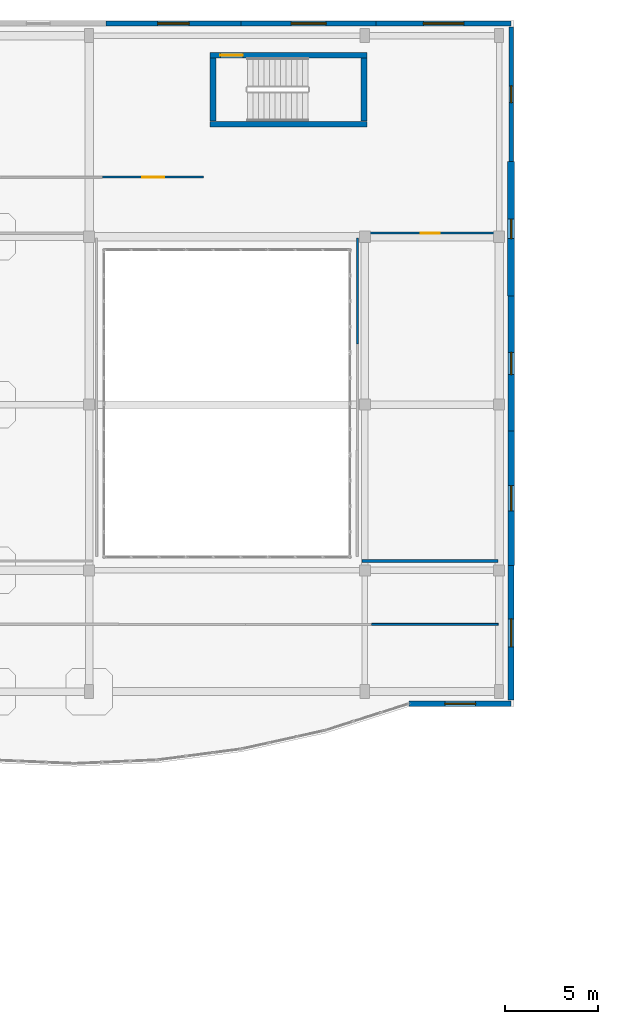
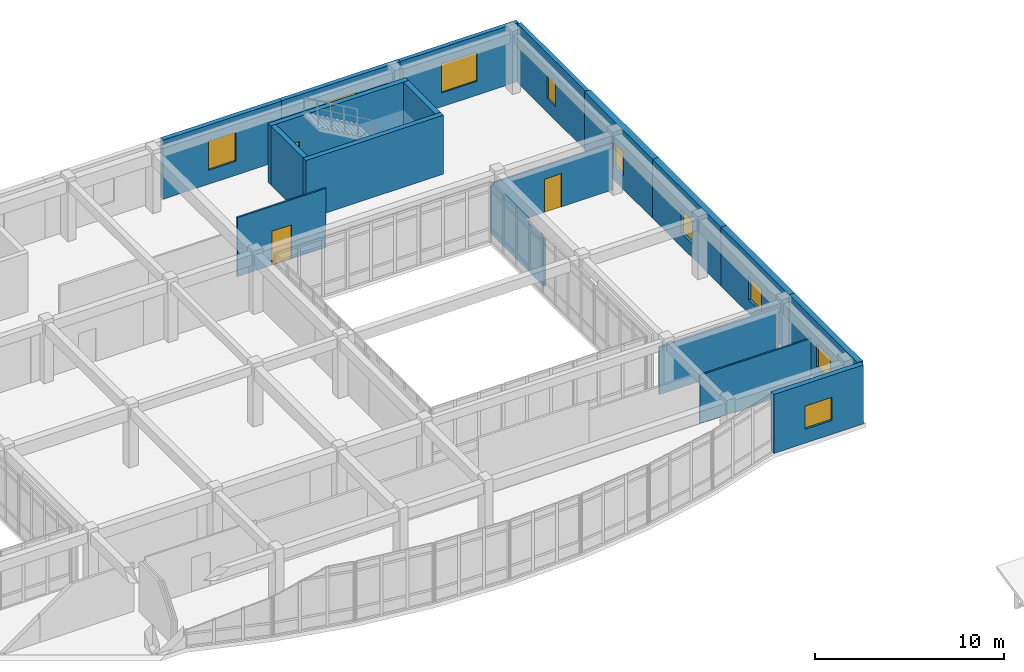
# One storey, part 138 of 146: 18 walls, 9 windows, 3 doors, 12 openings.
"""IFC4 building model written with IfcOpenShell, lengths in metres."""

import ifcopenshell
import ifcopenshell.guid

model = None  # the IFC model being written
_history = None  # IfcOwnerHistory: only IFC2X3 demands one
_inside = {}  # id of a spatial element -> (the spatial element, [elements in it])
_under = {}  # id of a project, library or spatial element -> (it, [spatial elements below it])
_declared = {}  # id of a project -> (the project, [libraries it declares])
_typed = {}  # id of a type object -> (the type object, [elements of that type])
_made_of = {}  # id of a material, layer set ... -> (it, [elements and type objects made of it])


def new_model(schema):
    """Start an empty IFC model of exactly this schema.

    Asked for "IFC4X3", IfcOpenShell would pick the latest addendum, in which some entities
    have other attributes; the version numbers below select the first issue.
    IFC2X3 requires an IfcOwnerHistory on every rooted entity: one is made here for all.
    """
    global model, _history
    if schema == "IFC4X3":
        model = ifcopenshell.file(schema_version=(4, 3, 0, 0))
    else:
        model = ifcopenshell.file(schema=schema)
    _inside.clear()
    _under.clear()
    _declared.clear()
    _typed.clear()
    _made_of.clear()
    _history = None
    if model.schema == "IFC2X3":
        org = make("IfcOrganization", Name="unknown")
        user = make(
            "IfcPersonAndOrganization",
            ThePerson=make("IfcPerson", FamilyName="unknown"),
            TheOrganization=org,
        )
        app = make(
            "IfcApplication",
            ApplicationDeveloper=org,
            Version="unknown",
            ApplicationFullName="unknown",
            ApplicationIdentifier="unknown",
        )
        _history = make(
            "IfcOwnerHistory",
            OwningUser=user,
            OwningApplication=app,
            ChangeAction="ADDED",
            CreationDate=0,
        )
    return model


def make(cls, **values):
    """One entity of the class cls with the attributes given. An attribute that is None is left unset."""
    return model.create_entity(
        cls, **{name: value for name, value in values.items() if value is not None}
    )


def rooted(cls, **values):
    """An entity with a GlobalId (a new one), such as an element, a storey or a relation."""
    return make(cls, GlobalId=ifcopenshell.guid.new(), OwnerHistory=_history, **values)


def si_unit(unit_type, name, prefix=None):
    """IfcSIUnit, for example si_unit("LENGTHUNIT", "METRE", prefix="MILLI")."""
    return make("IfcSIUnit", UnitType=unit_type, Prefix=prefix, Name=name)


def assignment(units):
    """IfcUnitAssignment: the units of a project."""
    return None if units is None else make("IfcUnitAssignment", Units=units)


def point(xyz):
    """IfcCartesianPoint."""
    return None if xyz is None else make("IfcCartesianPoint", Coordinates=xyz)


def direction(xyz):
    """IfcDirection."""
    return None if xyz is None else make("IfcDirection", DirectionRatios=xyz)


def frame(location, z_axis=None, x_axis=None):
    """IfcAxis2Placement3D, a coordinate frame: its origin and axes. An axis left out is left unset."""
    return make(
        "IfcAxis2Placement3D",
        Location=point(location),
        Axis=direction(z_axis),
        RefDirection=direction(x_axis),
    )


def frame_2d(location, x_axis=None):
    """IfcAxis2Placement2D, a coordinate frame in the plane: its origin and x axis."""
    return make(
        "IfcAxis2Placement2D", Location=point(location), RefDirection=direction(x_axis)
    )


def origin():
    """The frame at (0, 0, 0) with its axes left unset."""
    return frame((0.0, 0.0, 0.0))


def place(relative_to, where):
    """IfcLocalPlacement: puts the frame where relative to a parent placement (None: the world)."""
    return make(
        "IfcLocalPlacement", PlacementRelTo=relative_to, RelativePlacement=where
    )


def context(
    kind, dimensions, precision=None, world=None, true_north=None, identifier=None
):
    """IfcGeometricRepresentationContext, for example the 3D "Model" context."""
    return make(
        "IfcGeometricRepresentationContext",
        ContextIdentifier=identifier,
        ContextType=kind,
        CoordinateSpaceDimension=dimensions,
        Precision=precision,
        WorldCoordinateSystem=world,
        TrueNorth=true_north,
    )


def subcontext(parent, identifier, kind, view, scale=None):
    """IfcGeometricRepresentationSubContext, for example "Body" below "Model"."""
    return make(
        "IfcGeometricRepresentationSubContext",
        ContextIdentifier=identifier,
        ContextType=kind,
        ParentContext=parent,
        TargetScale=scale,
        TargetView=view,
    )


def project(units=None, contexts=None):
    """IfcProject with its units and contexts."""
    return rooted(
        "IfcProject",
        Name="project",
        RepresentationContexts=contexts,
        UnitsInContext=assignment(units),
    )


def spatial(cls, under=None, at=None, **own):
    """A site, building, storey or space (cls), placed at a placement, below another one or the project."""
    s = rooted(cls, ObjectPlacement=at, **own)
    if under is not None:
        _under.setdefault(under.id(), (under, []))[1].append(s)
    return s


def profile(cls, at=None, kind="AREA", **sizes):
    """A parametric profile (cls). Its sizes go by their IFC names, for example OverallWidth=200.0."""
    return make(cls, ProfileType=kind, Position=at, **sizes)


def rectangle(**sizes):
    """IfcRectangleProfileDef."""
    return profile("IfcRectangleProfileDef", **sizes)


def extrude(swept, where, along, depth):
    """IfcExtrudedAreaSolid: the profile swept, set in the frame where, extruded along a direction by depth."""
    return make(
        "IfcExtrudedAreaSolid",
        SweptArea=swept,
        Position=where,
        ExtrudedDirection=direction(along),
        Depth=depth,
    )


def shape(context_of_items, identifier, shape_type, items):
    """IfcShapeRepresentation: the items that make up one representation, for example the "Body"."""
    return make(
        "IfcShapeRepresentation",
        ContextOfItems=context_of_items,
        RepresentationIdentifier=identifier,
        RepresentationType=shape_type,
        Items=items,
    )


def material(Name=None, Category=None):
    """IfcMaterial."""
    return make("IfcMaterial", Name=Name, Category=Category)


def layer(
    of_material, thickness, ventilated=None, Name=None, Category=None, Priority=None
):
    """IfcMaterialLayer: one layer of a wall or slab, of a material (None: an air gap)."""
    return make(
        "IfcMaterialLayer",
        Material=of_material,
        LayerThickness=thickness,
        IsVentilated=ventilated,
        Name=Name,
        Category=Category,
        Priority=Priority,
    )


def layer_set(layers, Name=None):
    """IfcMaterialLayerSet."""
    return make("IfcMaterialLayerSet", MaterialLayers=layers, LayerSetName=Name)


def made_of(thing, what):
    """Note that an element or type object is made of a material, layer set ...; save() writes the relation."""
    if what is not None:
        _made_of.setdefault(what.id(), (what, []))[1].append(thing)
    return thing


def type_object(cls, material=None, **own):
    """A type object (cls), such as IfcWallType, which elements share."""
    return made_of(rooted(cls, **own), material)


def element(
    cls,
    number,
    at=None,
    inside=None,
    cuts=None,
    type_object=None,
    material=None,
    context=None,
    identifier="Body",
    shape_type=None,
    held_by="IfcProductDefinitionShape",
    body=None,
    shapes=None,
    **own,
):
    """One element of the class cls, such as IfcWall. Its Tag is "e" and its number.

    at: its placement. inside: the storey or other place that contains it. cuts: it is an
    opening in that element (IfcRelVoidsElement). A single representation is given by context,
    identifier, shape_type and body (its items); several are given by shapes. held_by: the class
    of the entity that holds the representations. save() writes the other relations.
    """
    e = rooted(cls, Tag="e%d" % number, ObjectPlacement=at, **own)
    if body is not None:
        shapes = [shape(context, identifier, shape_type, body)]
    if shapes is not None:
        e.Representation = make(held_by, Representations=shapes)
    if inside is not None:
        _inside.setdefault(inside.id(), (inside, []))[1].append(e)
    if cuts is not None:
        rooted(
            "IfcRelVoidsElement", RelatingBuildingElement=cuts, RelatedOpeningElement=e
        )
    if type_object is not None:
        _typed.setdefault(type_object.id(), (type_object, []))[1].append(e)
    return made_of(e, material)


def fill(opening, filler):
    """IfcRelFillsElement: the door or window that sits in an opening."""
    return rooted(
        "IfcRelFillsElement",
        RelatingOpeningElement=opening,
        RelatedBuildingElement=filler,
    )


def aggregate(whole, parts):
    """IfcRelAggregates: a whole, such as a stair, and the parts it consists of."""
    return rooted("IfcRelAggregates", RelatingObject=whole, RelatedObjects=parts)


def save(model, path):
    """Write the relations noted so far, then the file.

    IfcRelAggregates (storeys below a building ...), IfcRelContainedInSpatialStructure (elements
    in a storey), IfcRelDefinesByType, IfcRelAssociatesMaterial and IfcRelDeclares: one each for
    every whole, place, type object, material and project.
    """
    for whole, parts in _under.values():
        aggregate(whole, parts)
    for where, things in _inside.values():
        rooted(
            "IfcRelContainedInSpatialStructure",
            RelatedElements=things,
            RelatingStructure=where,
        )
    for kind, things in _typed.values():
        rooted("IfcRelDefinesByType", RelatedObjects=things, RelatingType=kind)
    for what, things in _made_of.values():
        rooted("IfcRelAssociatesMaterial", RelatedObjects=things, RelatingMaterial=what)
    for by, libraries in _declared.values():
        rooted("IfcRelDeclares", RelatingContext=by, RelatedDefinitions=libraries)
    model.write(path)


model = new_model("IFC4")

# Units and contexts
model_context = context("Model", 3, precision=1e-05, world=origin(), true_north=direction((0.0, 1.0)))
body_context = subcontext(model_context, "Body", "Model", "MODEL_VIEW")
ifc_project = project(units=[si_unit("LENGTHUNIT", "METRE"), si_unit("AREAUNIT", "SQUARE_METRE"), si_unit("VOLUMEUNIT", "CUBIC_METRE"), si_unit("PLANEANGLEUNIT", "RADIAN"), si_unit("MASSUNIT", "GRAM", prefix="KILO")], contexts=[model_context])

# Site, building, storey
site_placement = place(None, origin())
site = spatial("IfcSite", under=ifc_project, at=site_placement, CompositionType="ELEMENT")
building_placement = place(site_placement, origin())
building = spatial("IfcBuilding", under=site, at=building_placement, Name="Valcora Specialist Clinic", CompositionType="ELEMENT")
storey_placement = place(building_placement, frame((0.0, 0.0, 9.52001953125)))
storey = spatial("IfcBuildingStorey", under=building, at=storey_placement, Name="L02", CompositionType="ELEMENT", Elevation=9.52001953125)

# Wall
ifc_material_1 = material(Name="Concrete C40/50", Category="concrete")
ifc_layer_1 = layer(ifc_material_1, 0.300048828125)
ifc_layer_set_1 = layer_set([ifc_layer_1], Name="Concrete C40/50")
wall_type_1 = type_object("IfcWallType", Name="TY-WL-CR300", PredefinedType="SHEAR", material=ifc_layer_set_1)
wall_1_placement = place(storey_placement, frame((117.699951171875, 105.25, 0.0), z_axis=(0.0, 0.0, 1.0), x_axis=(1.0, 0.0, 0.0)))
element("IfcWall", 1, at=wall_1_placement, inside=storey, type_object=wall_type_1, Name="Core shear wall WL-CR-C-V4C-L02-S", PredefinedType="SHEAR", context=body_context, shape_type="SweptSolid", body=[
    extrude(rectangle(XDim=8.420166015625, YDim=0.300048828125, at=frame_2d((4.2099609375, 0.0))), origin(), (0.0, 0.0, 1.0), 3.820068359375),
])

# Wall, opening, door
wall_2_placement = place(storey_placement, frame((117.699951171875, 108.949951171875, 0.0), z_axis=(0.0, 0.0, 1.0), x_axis=(1.0, 0.0, 0.0)))
wall_2 = element("IfcWall", 2, at=wall_2_placement, inside=storey, type_object=wall_type_1, Name="Core shear wall WL-CR-C-V4C-L02-N", PredefinedType="SHEAR", context=body_context, shape_type="SweptSolid", body=[
    extrude(rectangle(XDim=8.420166015625, YDim=0.300048828125, at=frame_2d((4.2099609375, 0.0))), origin(), (0.0, 0.0, 1.0), 3.820068359375),
])
opening_1_placement = place(wall_2_placement, frame((0.550048828125, 0.0, 0.0)))
opening_1 = element("IfcOpeningElement", 3, at=opening_1_placement, cuts=wall_2, Name="Opening DR-FD-120", PredefinedType="OPENING", context=body_context, shape_type="SweptSolid", body=[
    extrude(rectangle(XDim=1.199951171875, YDim=2.199951171875, at=frame_2d((0.60009765625, 1.10009765625))), frame((0.0, 0.159912109375, 0.0), z_axis=(0.0, -1.0, 0.0), x_axis=(1.0, 0.0, 0.0)), (0.0, 0.0, 1.0), 0.320068359375),
])
ifc_material_2 = material(Name="Galvanized Hollow Metal Door Steel ASTM A653", Category="steel")
door_type_1 = type_object("IfcDoorType", Name="TY-DR-ST120", OperationType="NOTDEFINED", PredefinedType="DOOR", material=ifc_material_2)
door_1_placement = place(opening_1_placement, origin())
door_1 = element("IfcDoor", 4, at=door_1_placement, inside=storey, type_object=door_type_1, Name="Exit stair fire door C-V4C L02", OperationType="SINGLE_SWING_RIGHT", OverallHeight=2.199951171875, OverallWidth=1.199951171875, PredefinedType="DOOR", context=body_context, shape_type="SweptSolid", body=[
    extrude(rectangle(XDim=1.199951171875, YDim=2.199951171875, at=frame_2d((0.60009765625, 1.10009765625))), frame((0.0, 0.02490234375, 0.0), z_axis=(0.0, -1.0, 0.0), x_axis=(1.0, 0.0, 0.0)), (0.0, 0.0, 1.0), 0.050048828125),
])
fill(opening_1, door_1)

# Walls
wall_3_placement = place(storey_placement, frame((117.85009765625, 105.402099609375, 0.0), z_axis=(0.0, 0.0, 1.0), x_axis=(0.0, 1.0, 0.0)))
element("IfcWall", 5, at=wall_3_placement, inside=storey, type_object=wall_type_1, Name="Core shear wall WL-CR-C-V4C-L02-W", PredefinedType="SHEAR", context=body_context, shape_type="SweptSolid", body=[
    extrude(rectangle(XDim=3.39599609375, YDim=0.300048828125, at=frame_2d((1.697998046875, 0.0))), origin(), (0.0, 0.0, 1.0), 3.820068359375),
])
ifc_layer_2 = layer(ifc_material_1, 0.320068359375)
ifc_layer_set_2 = layer_set([ifc_layer_2], Name="Concrete C40/50")
wall_type_2 = type_object("IfcWallType", Name="TY-WL-CR320", PredefinedType="SHEAR", material=ifc_layer_set_2)
wall_4_placement = place(storey_placement, frame((125.9599609375, 105.402099609375, 0.0), z_axis=(0.0, 0.0, 1.0), x_axis=(0.0, 1.0, 0.0)))
element("IfcWall", 6, at=wall_4_placement, inside=storey, type_object=wall_type_2, Name="Core shear wall WL-CR-C-V4C-L02-E", PredefinedType="SHEAR", context=body_context, shape_type="SweptSolid", body=[
    extrude(rectangle(XDim=3.39599609375, YDim=0.320068359375, at=frame_2d((1.697998046875, 0.0))), origin(), (0.0, 0.0, 1.0), 3.820068359375),
])

# Wall, opening, window
ifc_material_3 = material(Name="Extruded Jalisco Clay Brick Masonry", Category="masonry")
ifc_layer_3 = layer(ifc_material_3, 0.235107421875)
ifc_layer_set_3 = layer_set([ifc_layer_3], Name="Extruded Jalisco Clay Brick Masonry")
wall_type_3 = type_object("IfcWallType", Name="TY-WL-EW235", PredefinedType="SOLIDWALL", material=ifc_layer_set_3)
wall_5_placement = place(storey_placement, frame((133.85009765625, 110.4599609375, 0.0), z_axis=(0.0, 0.0, 1.0), x_axis=(0.0, -1.0, 0.0)))
wall_5 = element("IfcWall", 7, at=wall_5_placement, inside=storey, type_object=wall_type_3, Name="Exterior wall WL-EXT-L02-0190", PredefinedType="SOLIDWALL", context=body_context, shape_type="SweptSolid", body=[
    extrude(rectangle(XDim=7.223876953125, YDim=0.235107421875, at=frame_2d((3.61181640625, 0.0))), origin(), (0.0, 0.0, 1.0), 3.820068359375),
])
opening_2_placement = place(wall_5_placement, frame((3.162109375, 0.0, 0.89990234375)))
opening_2 = element("IfcOpeningElement", 8, at=opening_2_placement, cuts=wall_5, Name="Opening WN-01", PredefinedType="OPENING", context=body_context, shape_type="SweptSolid", body=[
    extrude(rectangle(XDim=0.89990234375, YDim=1.5, at=frame_2d((0.449951171875, 0.75))), frame((0.0, 0.12744140625, 0.0), z_axis=(0.0, -1.0, 0.0), x_axis=(1.0, 0.0, 0.0)), (0.0, 0.0, 1.0), 0.255126953125),
])
ifc_material_4 = material(Name="Low-E Laminated Insulating Glass", Category="glass")
window_type_1 = type_object("IfcWindowType", Name="TY-WN-01", PartitioningType="SINGLE_PANEL", PredefinedType="WINDOW", material=ifc_material_4)
window_1_placement = place(opening_2_placement, origin())
window_1 = element("IfcWindow", 9, at=window_1_placement, inside=storey, type_object=window_type_1, Name="Facade window WN-L02-0169", OverallHeight=1.5, OverallWidth=0.89990234375, PartitioningType="SINGLE_PANEL", PredefinedType="WINDOW", context=body_context, shape_type="SweptSolid", body=[
    extrude(rectangle(XDim=0.89990234375, YDim=1.5, at=frame_2d((0.449951171875, 0.75))), frame((0.0, 0.030029296875, 0.0), z_axis=(0.0, -1.0, 0.0), x_axis=(1.0, 0.0, 0.0)), (0.0, 0.0, 1.0), 0.06005859375),
])
fill(opening_2, window_1)

ifc_layer_4 = layer(ifc_material_3, 0.25)
ifc_layer_set_4 = layer_set([ifc_layer_4], Name="Extruded Jalisco Clay Brick Masonry")
wall_type_4 = type_object("IfcWallType", Name="TY-WL-EW250", PredefinedType="SOLIDWALL", material=ifc_layer_set_4)
wall_6_placement = place(storey_placement, frame((126.60009765625, 110.64990234375, 0.0), z_axis=(0.0, 0.0, 1.0), x_axis=(1.0, 0.0, 0.0)))
wall_6 = element("IfcWall", 10, at=wall_6_placement, inside=storey, type_object=wall_type_4, Name="Exterior wall WL-EXT-L02-0189", PredefinedType="SOLIDWALL", context=body_context, shape_type="SweptSolid", body=[
    extrude(rectangle(XDim=7.25, YDim=0.25, at=frame_2d((3.625, 0.0))), origin(), (0.0, 0.0, 1.0), 3.820068359375),
])
opening_3_placement = place(wall_6_placement, frame((2.534912109375, 0.0, 0.89990234375)))
opening_3 = element("IfcOpeningElement", 11, at=opening_3_placement, cuts=wall_6, Name="Opening WN-42", PredefinedType="OPENING", context=body_context, shape_type="SweptSolid", body=[
    extrude(rectangle(XDim=2.179931640625, YDim=1.8798828125, at=frame_2d((1.08984375, 0.93994140625))), frame((0.0, 0.135009765625, 0.0), z_axis=(0.0, -1.0, 0.0), x_axis=(1.0, 0.0, 0.0)), (0.0, 0.0, 1.0), 0.27001953125),
])
window_type_2 = type_object("IfcWindowType", Name="TY-WN-42", PartitioningType="SINGLE_PANEL", PredefinedType="WINDOW", material=ifc_material_4)
window_2_placement = place(opening_3_placement, origin())
window_2 = element("IfcWindow", 12, at=window_2_placement, inside=storey, type_object=window_type_2, Name="Facade window WN-L02-0168", OverallHeight=1.8798828125, OverallWidth=2.179931640625, PartitioningType="SINGLE_PANEL", PredefinedType="WINDOW", context=body_context, shape_type="SweptSolid", body=[
    extrude(rectangle(XDim=2.179931640625, YDim=1.8798828125, at=frame_2d((1.08984375, 0.93994140625))), frame((0.0, 0.030029296875, 0.0), z_axis=(0.0, -1.0, 0.0), x_axis=(1.0, 0.0, 0.0)), (0.0, 0.0, 1.0), 0.06005859375),
])
fill(opening_3, window_2)

ifc_layer_5 = layer(ifc_material_3, 0.264892578125)
ifc_layer_set_5 = layer_set([ifc_layer_5], Name="Extruded Jalisco Clay Brick Masonry")
wall_type_5 = type_object("IfcWallType", Name="TY-WL-EW265", PredefinedType="SOLIDWALL", material=ifc_layer_set_5)
wall_7_placement = place(storey_placement, frame((119.35009765625, 110.64990234375, 0.0), z_axis=(0.0, 0.0, 1.0), x_axis=(1.0, 0.0, 0.0)))
wall_7 = element("IfcWall", 13, at=wall_7_placement, inside=storey, type_object=wall_type_5, Name="Exterior wall WL-EXT-L02-0188", PredefinedType="SOLIDWALL", context=body_context, shape_type="SweptSolid", body=[
    extrude(rectangle(XDim=7.25, YDim=0.264892578125, at=frame_2d((3.625, 0.0))), origin(), (0.0, 0.0, 1.0), 3.820068359375),
])
opening_4_placement = place(wall_7_placement, frame((2.68505859375, 0.0, 0.89990234375)))
opening_4 = element("IfcOpeningElement", 14, at=opening_4_placement, cuts=wall_7, Name="Opening WN-41", PredefinedType="OPENING", context=body_context, shape_type="SweptSolid", body=[
    extrude(rectangle(XDim=1.8798828125, YDim=1.8798828125, at=frame_2d((0.93994140625, 0.93994140625))), frame((0.0, 0.142333984375, 0.0), z_axis=(0.0, -1.0, 0.0), x_axis=(1.0, 0.0, 0.0)), (0.0, 0.0, 1.0), 0.284912109375),
])
window_type_3 = type_object("IfcWindowType", Name="TY-WN-41", PartitioningType="SINGLE_PANEL", PredefinedType="WINDOW", material=ifc_material_4)
window_3_placement = place(opening_4_placement, origin())
window_3 = element("IfcWindow", 15, at=window_3_placement, inside=storey, type_object=window_type_3, Name="Facade window WN-L02-0167", OverallHeight=1.8798828125, OverallWidth=1.8798828125, PartitioningType="SINGLE_PANEL", PredefinedType="WINDOW", context=body_context, shape_type="SweptSolid", body=[
    extrude(rectangle(XDim=1.8798828125, YDim=1.8798828125, at=frame_2d((0.93994140625, 0.93994140625))), frame((0.0, 0.030029296875, 0.0), z_axis=(0.0, -1.0, 0.0), x_axis=(1.0, 0.0, 0.0)), (0.0, 0.0, 1.0), 0.06005859375),
])
fill(opening_4, window_3)

ifc_layer_6 = layer(ifc_material_3, 0.280029296875)
ifc_layer_set_6 = layer_set([ifc_layer_6], Name="Extruded Jalisco Clay Brick Masonry")
wall_type_6 = type_object("IfcWallType", Name="TY-WL-EW280", PredefinedType="SOLIDWALL", material=ifc_layer_set_6)
wall_8_placement = place(storey_placement, frame((112.10009765625, 110.64990234375, 0.0), z_axis=(0.0, 0.0, 1.0), x_axis=(1.0, 0.0, 0.0)))
wall_8 = element("IfcWall", 16, at=wall_8_placement, inside=storey, type_object=wall_type_6, Name="Exterior wall WL-EXT-L02-0187", PredefinedType="SOLIDWALL", context=body_context, shape_type="SweptSolid", body=[
    extrude(rectangle(XDim=7.25, YDim=0.280029296875, at=frame_2d((3.625, 0.0))), origin(), (0.0, 0.0, 1.0), 3.820068359375),
])
opening_5_placement = place(wall_8_placement, frame((2.784912109375, 0.0, 0.89990234375)))
opening_5 = element("IfcOpeningElement", 17, at=opening_5_placement, cuts=wall_8, Name="Opening WN-40", PredefinedType="OPENING", context=body_context, shape_type="SweptSolid", body=[
    extrude(rectangle(XDim=1.679931640625, YDim=1.8798828125, at=frame_2d((0.83984375, 0.93994140625))), frame((0.0, 0.14990234375, 0.0), z_axis=(0.0, -1.0, 0.0), x_axis=(1.0, 0.0, 0.0)), (0.0, 0.0, 1.0), 0.300048828125),
])
window_type_4 = type_object("IfcWindowType", Name="TY-WN-40", PartitioningType="SINGLE_PANEL", PredefinedType="WINDOW", material=ifc_material_4)
window_4_placement = place(opening_5_placement, origin())
window_4 = element("IfcWindow", 18, at=window_4_placement, inside=storey, type_object=window_type_4, Name="Facade window WN-L02-0166", OverallHeight=1.8798828125, OverallWidth=1.679931640625, PartitioningType="SINGLE_PANEL", PredefinedType="WINDOW", context=body_context, shape_type="SweptSolid", body=[
    extrude(rectangle(XDim=1.679931640625, YDim=1.8798828125, at=frame_2d((0.83984375, 0.93994140625))), frame((0.0, 0.030029296875, 0.0), z_axis=(0.0, -1.0, 0.0), x_axis=(1.0, 0.0, 0.0)), (0.0, 0.0, 1.0), 0.06005859375),
])
fill(opening_5, window_4)

ifc_layer_7 = layer(ifc_material_3, 0.31005859375)
ifc_layer_set_7 = layer_set([ifc_layer_7], Name="Extruded Jalisco Clay Brick Masonry")
wall_type_7 = type_object("IfcWallType", Name="TY-WL-EW310", PredefinedType="SOLIDWALL", material=ifc_layer_set_7)
wall_9_placement = place(storey_placement, frame((133.85009765625, 74.14990234375, 0.0), z_axis=(0.0, 0.0, 1.0), x_axis=(-1.0, 0.0, 0.0)))
wall_9 = element("IfcWall", 19, at=wall_9_placement, inside=storey, type_object=wall_type_7, Name="Exterior wall WL-EXT-L02-0195", PredefinedType="SOLIDWALL", context=body_context, shape_type="SweptSolid", body=[
    extrude(rectangle(XDim=5.473388671875, YDim=0.31005859375, at=frame_2d((2.73681640625, 0.0))), origin(), (0.0, 0.0, 1.0), 3.820068359375),
])
opening_6_placement = place(wall_9_placement, frame((1.912109375, 0.0, 0.89990234375)))
opening_6 = element("IfcOpeningElement", 20, at=opening_6_placement, cuts=wall_9, Name="Opening WN-06", PredefinedType="OPENING", context=body_context, shape_type="SweptSolid", body=[
    extrude(rectangle(XDim=1.64990234375, YDim=1.5, at=frame_2d((0.824951171875, 0.75))), frame((0.0, 0.1650390625, 0.0), z_axis=(0.0, -1.0, 0.0), x_axis=(1.0, 0.0, 0.0)), (0.0, 0.0, 1.0), 0.330078125),
])
window_type_5 = type_object("IfcWindowType", Name="TY-WN-06", PartitioningType="SINGLE_PANEL", PredefinedType="WINDOW", material=ifc_material_4)
window_5_placement = place(opening_6_placement, origin())
window_5 = element("IfcWindow", 21, at=window_5_placement, inside=storey, type_object=window_type_5, Name="Facade window WN-L02-0174", OverallHeight=1.5, OverallWidth=1.64990234375, PartitioningType="SINGLE_PANEL", PredefinedType="WINDOW", context=body_context, shape_type="SweptSolid", body=[
    extrude(rectangle(XDim=1.64990234375, YDim=1.5, at=frame_2d((0.824951171875, 0.75))), frame((0.0, 0.030029296875, 0.0), z_axis=(0.0, -1.0, 0.0), x_axis=(1.0, 0.0, 0.0)), (0.0, 0.0, 1.0), 0.06005859375),
])
fill(opening_6, window_5)

ifc_layer_8 = layer(ifc_material_3, 0.324951171875)
ifc_layer_set_8 = layer_set([ifc_layer_8], Name="Extruded Jalisco Clay Brick Masonry")
wall_type_8 = type_object("IfcWallType", Name="TY-WL-EW325", PredefinedType="SOLIDWALL", material=ifc_layer_set_8)
wall_10_placement = place(storey_placement, frame((133.85009765625, 81.56396484375, 0.0), z_axis=(0.0, 0.0, 1.0), x_axis=(0.0, -1.0, 0.0)))
wall_10 = element("IfcWall", 22, at=wall_10_placement, inside=storey, type_object=wall_type_8, Name="Exterior wall WL-EXT-L02-0194", PredefinedType="SOLIDWALL", context=body_context, shape_type="SweptSolid", body=[
    extrude(rectangle(XDim=7.223876953125, YDim=0.324951171875, at=frame_2d((3.61181640625, 0.0))), origin(), (0.0, 0.0, 1.0), 3.820068359375),
])
opening_7_placement = place(wall_10_placement, frame((2.862060546875, 0.0, 0.89990234375)))
opening_7 = element("IfcOpeningElement", 23, at=opening_7_placement, cuts=wall_10, Name="Opening WN-05", PredefinedType="OPENING", context=body_context, shape_type="SweptSolid", body=[
    extrude(rectangle(XDim=1.5, YDim=1.5, at=frame_2d((0.75, 0.75))), frame((0.0, 0.17236328125, 0.0), z_axis=(0.0, -1.0, 0.0), x_axis=(1.0, 0.0, 0.0)), (0.0, 0.0, 1.0), 0.344970703125),
])
window_type_6 = type_object("IfcWindowType", Name="TY-WN-05", PartitioningType="SINGLE_PANEL", PredefinedType="WINDOW", material=ifc_material_4)
window_6_placement = place(opening_7_placement, origin())
window_6 = element("IfcWindow", 24, at=window_6_placement, inside=storey, type_object=window_type_6, Name="Facade window WN-L02-0173", OverallHeight=1.5, OverallWidth=1.5, PartitioningType="SINGLE_PANEL", PredefinedType="WINDOW", context=body_context, shape_type="SweptSolid", body=[
    extrude(rectangle(XDim=1.5, YDim=1.5, at=frame_2d((0.75, 0.75))), frame((0.0, 0.030029296875, 0.0), z_axis=(0.0, -1.0, 0.0), x_axis=(1.0, 0.0, 0.0)), (0.0, 0.0, 1.0), 0.06005859375),
])
fill(opening_7, window_6)

ifc_layer_9 = layer(ifc_material_3, 0.340087890625)
ifc_layer_set_9 = layer_set([ifc_layer_9], Name="Extruded Jalisco Clay Brick Masonry")
wall_type_9 = type_object("IfcWallType", Name="TY-WL-EW340", PredefinedType="SOLIDWALL", material=ifc_layer_set_9)
wall_11_placement = place(storey_placement, frame((133.85009765625, 88.7880859375, 0.0), z_axis=(0.0, 0.0, 1.0), x_axis=(0.0, -1.0, 0.0)))
wall_11 = element("IfcWall", 25, at=wall_11_placement, inside=storey, type_object=wall_type_9, Name="Exterior wall WL-EXT-L02-0193", PredefinedType="SOLIDWALL", context=body_context, shape_type="SweptSolid", body=[
    extrude(rectangle(XDim=7.22412109375, YDim=0.340087890625, at=frame_2d((3.612060546875, 0.0))), origin(), (0.0, 0.0, 1.0), 3.820068359375),
])
opening_8_placement = place(wall_11_placement, frame((2.93701171875, 0.0, 0.89990234375)))
opening_8 = element("IfcOpeningElement", 26, at=opening_8_placement, cuts=wall_11, Name="Opening WN-04", PredefinedType="OPENING", context=body_context, shape_type="SweptSolid", body=[
    extrude(rectangle(XDim=1.35009765625, YDim=1.5, at=frame_2d((0.675048828125, 0.75))), frame((0.0, 0.179931640625, 0.0), z_axis=(0.0, -1.0, 0.0), x_axis=(1.0, 0.0, 0.0)), (0.0, 0.0, 1.0), 0.360107421875),
])
window_type_7 = type_object("IfcWindowType", Name="TY-WN-04", PartitioningType="SINGLE_PANEL", PredefinedType="WINDOW", material=ifc_material_4)
window_7_placement = place(opening_8_placement, origin())
window_7 = element("IfcWindow", 27, at=window_7_placement, inside=storey, type_object=window_type_7, Name="Facade window WN-L02-0172", OverallHeight=1.5, OverallWidth=1.35009765625, PartitioningType="SINGLE_PANEL", PredefinedType="WINDOW", context=body_context, shape_type="SweptSolid", body=[
    extrude(rectangle(XDim=1.35009765625, YDim=1.5, at=frame_2d((0.675048828125, 0.75))), frame((0.0, 0.030029296875, 0.0), z_axis=(0.0, -1.0, 0.0), x_axis=(1.0, 0.0, 0.0)), (0.0, 0.0, 1.0), 0.06005859375),
])
fill(opening_8, window_7)

ifc_layer_10 = layer(ifc_material_3, 0.35498046875)
ifc_layer_set_10 = layer_set([ifc_layer_10], Name="Extruded Jalisco Clay Brick Masonry")
wall_type_10 = type_object("IfcWallType", Name="TY-WL-EW355", PredefinedType="SOLIDWALL", material=ifc_layer_set_10)
wall_12_placement = place(storey_placement, frame((133.85009765625, 96.011962890625, 0.0), z_axis=(0.0, 0.0, 1.0), x_axis=(0.0, -1.0, 0.0)))
wall_12 = element("IfcWall", 28, at=wall_12_placement, inside=storey, type_object=wall_type_10, Name="Exterior wall WL-EXT-L02-0192", PredefinedType="SOLIDWALL", context=body_context, shape_type="SweptSolid", body=[
    extrude(rectangle(XDim=7.223876953125, YDim=0.35498046875, at=frame_2d((3.61181640625, 0.0))), origin(), (0.0, 0.0, 1.0), 3.820068359375),
])
opening_9_placement = place(wall_12_placement, frame((3.011962890625, 0.0, 0.89990234375)))
opening_9 = element("IfcOpeningElement", 29, at=opening_9_placement, cuts=wall_12, Name="Opening WN-03", PredefinedType="OPENING", context=body_context, shape_type="SweptSolid", body=[
    extrude(rectangle(XDim=1.199951171875, YDim=1.5, at=frame_2d((0.60009765625, 0.75))), frame((0.0, 0.1875, 0.0), z_axis=(0.0, -1.0, 0.0), x_axis=(1.0, 0.0, 0.0)), (0.0, 0.0, 1.0), 0.375),
])
window_type_8 = type_object("IfcWindowType", Name="TY-WN-03", PartitioningType="SINGLE_PANEL", PredefinedType="WINDOW", material=ifc_material_4)
window_8_placement = place(opening_9_placement, origin())
window_8 = element("IfcWindow", 30, at=window_8_placement, inside=storey, type_object=window_type_8, Name="Facade window WN-L02-0171", OverallHeight=1.5, OverallWidth=1.199951171875, PartitioningType="SINGLE_PANEL", PredefinedType="WINDOW", context=body_context, shape_type="SweptSolid", body=[
    extrude(rectangle(XDim=1.199951171875, YDim=1.5, at=frame_2d((0.60009765625, 0.75))), frame((0.0, 0.030029296875, 0.0), z_axis=(0.0, -1.0, 0.0), x_axis=(1.0, 0.0, 0.0)), (0.0, 0.0, 1.0), 0.06005859375),
])
fill(opening_9, window_8)

ifc_layer_11 = layer(ifc_material_3, 0.3701171875)
ifc_layer_set_11 = layer_set([ifc_layer_11], Name="Extruded Jalisco Clay Brick Masonry")
wall_type_11 = type_object("IfcWallType", Name="TY-WL-EW370", PredefinedType="SOLIDWALL", material=ifc_layer_set_11)
wall_13_placement = place(storey_placement, frame((133.85009765625, 103.236083984375, 0.0), z_axis=(0.0, 0.0, 1.0), x_axis=(0.0, -1.0, 0.0)))
wall_13 = element("IfcWall", 31, at=wall_13_placement, inside=storey, type_object=wall_type_11, Name="Exterior wall WL-EXT-L02-0191", PredefinedType="SOLIDWALL", context=body_context, shape_type="SweptSolid", body=[
    extrude(rectangle(XDim=7.22412109375, YDim=0.3701171875, at=frame_2d((3.612060546875, 0.0))), origin(), (0.0, 0.0, 1.0), 3.820068359375),
])
opening_10_placement = place(wall_13_placement, frame((3.0869140625, 0.0, 0.89990234375)))
opening_10 = element("IfcOpeningElement", 32, at=opening_10_placement, cuts=wall_13, Name="Opening WN-02", PredefinedType="OPENING", context=body_context, shape_type="SweptSolid", body=[
    extrude(rectangle(XDim=1.050048828125, YDim=1.5, at=frame_2d((0.52490234375, 0.75))), frame((0.0, 0.195068359375, 0.0), z_axis=(0.0, -1.0, 0.0), x_axis=(1.0, 0.0, 0.0)), (0.0, 0.0, 1.0), 0.39013671875),
])
window_type_9 = type_object("IfcWindowType", Name="TY-WN-02", PartitioningType="SINGLE_PANEL", PredefinedType="WINDOW", material=ifc_material_4)
window_9_placement = place(opening_10_placement, origin())
window_9 = element("IfcWindow", 33, at=window_9_placement, inside=storey, type_object=window_type_9, Name="Facade window WN-L02-0170", OverallHeight=1.5, OverallWidth=1.050048828125, PartitioningType="SINGLE_PANEL", PredefinedType="WINDOW", context=body_context, shape_type="SweptSolid", body=[
    extrude(rectangle(XDim=1.050048828125, YDim=1.5, at=frame_2d((0.52490234375, 0.75))), frame((0.0, 0.030029296875, 0.0), z_axis=(0.0, -1.0, 0.0), x_axis=(1.0, 0.0, 0.0)), (0.0, 0.0, 1.0), 0.06005859375),
])
fill(opening_10, window_9)

# Wall, opening, door
ifc_material_5 = material(Name="Gypsum Board Partition Assembly")
ifc_layer_12 = layer(ifc_material_5, 0.094970703125)
ifc_layer_set_12 = layer_set([ifc_layer_12], Name="Gypsum Board Partition Assembly")
wall_type_12 = type_object("IfcWallType", Name="TY-WL-PT095", PredefinedType="PARTITIONING", material=ifc_layer_set_12)
wall_14_placement = place(storey_placement, frame((125.85009765625, 99.39990234375, 0.0), z_axis=(0.0, 0.0, 1.0), x_axis=(1.0, 0.0, 0.0)))
wall_14 = element("IfcWall", 34, at=wall_14_placement, inside=storey, type_object=wall_type_12, Name="Interior partition WL-INT-L02-0323", PredefinedType="PARTITIONING", context=body_context, shape_type="SweptSolid", body=[
    extrude(rectangle(XDim=7.2998046875, YDim=0.094970703125, at=frame_2d((3.64990234375, 0.0))), origin(), (0.0, 0.0, 1.0), 3.02001953125),
])
opening_11_placement = place(wall_14_placement, frame((3.139892578125, 0.0, 0.0)))
opening_11 = element("IfcOpeningElement", 35, at=opening_11_placement, cuts=wall_14, Name="Opening DR-CN-102", PredefinedType="OPENING", context=body_context, shape_type="SweptSolid", body=[
    extrude(rectangle(XDim=1.02001953125, YDim=2.14990234375, at=frame_2d((0.510009765625, 1.074951171875))), frame((0.0, 0.057373046875, 0.0), z_axis=(0.0, -1.0, 0.0), x_axis=(1.0, 0.0, 0.0)), (0.0, 0.0, 1.0), 0.114990234375),
])
ifc_material_6 = material(Name="Glulam Conifer Class 24F", Category="wood")
door_type_2 = type_object("IfcDoorType", Name="TY-DR-CN102", OperationType="NOTDEFINED", PredefinedType="DOOR", material=ifc_material_6)
door_2_placement = place(opening_11_placement, origin())
door_2 = element("IfcDoor", 36, at=door_2_placement, inside=storey, type_object=door_type_2, Name="Interior door DR-INT-L02-0090", OperationType="SINGLE_SWING_RIGHT", OverallHeight=2.14990234375, OverallWidth=1.02001953125, PredefinedType="DOOR", context=body_context, shape_type="SweptSolid", body=[
    extrude(rectangle(XDim=1.02001953125, YDim=2.14990234375, at=frame_2d((0.510009765625, 1.074951171875))), frame((0.0, 0.02490234375, 0.0), z_axis=(0.0, -1.0, 0.0), x_axis=(1.0, 0.0, 0.0)), (0.0, 0.0, 1.0), 0.050048828125),
])
fill(opening_11, door_2)

# Wall
ifc_layer_13 = layer(ifc_material_5, 0.10498046875)
ifc_layer_set_13 = layer_set([ifc_layer_13], Name="Gypsum Board Partition Assembly")
wall_type_13 = type_object("IfcWallType", Name="TY-WL-PT105", PredefinedType="PARTITIONING", material=ifc_layer_set_13)
wall_15_placement = place(storey_placement, frame((126.366943359375, 78.39990234375, 0.0), z_axis=(0.0, 0.0, 1.0), x_axis=(1.0, 0.0, 0.0)))
element("IfcWall", 37, at=wall_15_placement, inside=storey, type_object=wall_type_13, Name="Interior partition WL-INT-L02-0310", PredefinedType="PARTITIONING", context=body_context, shape_type="SweptSolid", body=[
    extrude(rectangle(XDim=6.782958984375, YDim=0.10498046875, at=frame_2d((3.3916015625, 0.0))), origin(), (0.0, 0.0, 1.0), 3.119873046875),
])

# Wall, opening, door
wall_16_placement = place(storey_placement, frame((117.35009765625, 102.39990234375, 0.0), z_axis=(0.0, 0.0, 1.0), x_axis=(-1.0, 0.0, 0.0)))
wall_16 = element("IfcWall", 38, at=wall_16_placement, inside=storey, type_object=wall_type_13, Name="Interior partition WL-INT-L02-0334", PredefinedType="PARTITIONING", context=body_context, shape_type="SweptSolid", body=[
    extrude(rectangle(XDim=5.43310546875, YDim=0.10498046875, at=frame_2d((2.716552734375, 0.0))), origin(), (0.0, 0.0, 1.0), 3.820068359375),
])
opening_12_placement = place(wall_16_placement, frame((2.1259765625, 0.0, 0.0)))
opening_12 = element("IfcOpeningElement", 39, at=opening_12_placement, cuts=wall_16, Name="Opening DR-CN-118", PredefinedType="OPENING", context=body_context, shape_type="SweptSolid", body=[
    extrude(rectangle(XDim=1.179931640625, YDim=2.199951171875, at=frame_2d((0.58984375, 1.10009765625))), frame((0.0, 0.0625, 0.0), z_axis=(0.0, -1.0, 0.0), x_axis=(1.0, 0.0, 0.0)), (0.0, 0.0, 1.0), 0.125),
])
door_type_3 = type_object("IfcDoorType", Name="TY-DR-CN118", OperationType="NOTDEFINED", PredefinedType="DOOR", material=ifc_material_6)
door_3_placement = place(opening_12_placement, origin())
door_3 = element("IfcDoor", 40, at=door_3_placement, inside=storey, type_object=door_type_3, Name="Interior door DR-INT-L02-0093", OperationType="SINGLE_SWING_LEFT", OverallHeight=2.199951171875, OverallWidth=1.179931640625, PredefinedType="DOOR", context=body_context, shape_type="SweptSolid", body=[
    extrude(rectangle(XDim=1.179931640625, YDim=2.199951171875, at=frame_2d((0.58984375, 1.10009765625))), frame((0.0, 0.02490234375, 0.0), z_axis=(0.0, -1.0, 0.0), x_axis=(1.0, 0.0, 0.0)), (0.0, 0.0, 1.0), 0.050048828125),
])
fill(opening_12, door_3)

# Walls
ifc_layer_14 = layer(ifc_material_5, 0.114990234375)
ifc_layer_set_14 = layer_set([ifc_layer_14], Name="Gypsum Board Partition Assembly")
wall_type_14 = type_object("IfcWallType", Name="TY-WL-PT115", PredefinedType="PARTITIONING", material=ifc_layer_set_14)
wall_17_placement = place(storey_placement, frame((125.60009765625, 93.449951171875, 0.0), z_axis=(0.0, 0.0, 1.0), x_axis=(0.0, 1.0, 0.0)))
element("IfcWall", 41, at=wall_17_placement, inside=storey, type_object=wall_type_14, Name="Interior partition WL-INT-L02-0327", PredefinedType="PARTITIONING", context=body_context, shape_type="SweptSolid", body=[
    extrude(rectangle(XDim=5.699951171875, YDim=0.114990234375, at=frame_2d((2.85009765625, 0.0))), origin(), (0.0, 0.0, 1.0), 3.070068359375),
])
ifc_layer_15 = layer(ifc_material_5, 0.14501953125)
ifc_layer_set_15 = layer_set([ifc_layer_15], Name="Gypsum Board Partition Assembly")
wall_type_15 = type_object("IfcWallType", Name="TY-WL-PT145", PredefinedType="PARTITIONING", material=ifc_layer_set_15)
wall_18_placement = place(storey_placement, frame((133.14990234375, 81.800048828125, 0.0), z_axis=(0.0, 0.0, 1.0), x_axis=(-1.0, 0.0, 0.0)))
element("IfcWall", 42, at=wall_18_placement, inside=storey, type_object=wall_type_15, Name="Interior partition WL-INT-L02-0324", PredefinedType="PARTITIONING", context=body_context, shape_type="SweptSolid", body=[
    extrude(rectangle(XDim=7.2998046875, YDim=0.14501953125, at=frame_2d((3.64990234375, 0.0))), origin(), (0.0, 0.0, 1.0), 3.070068359375),
])

save(model, "model.ifc")
